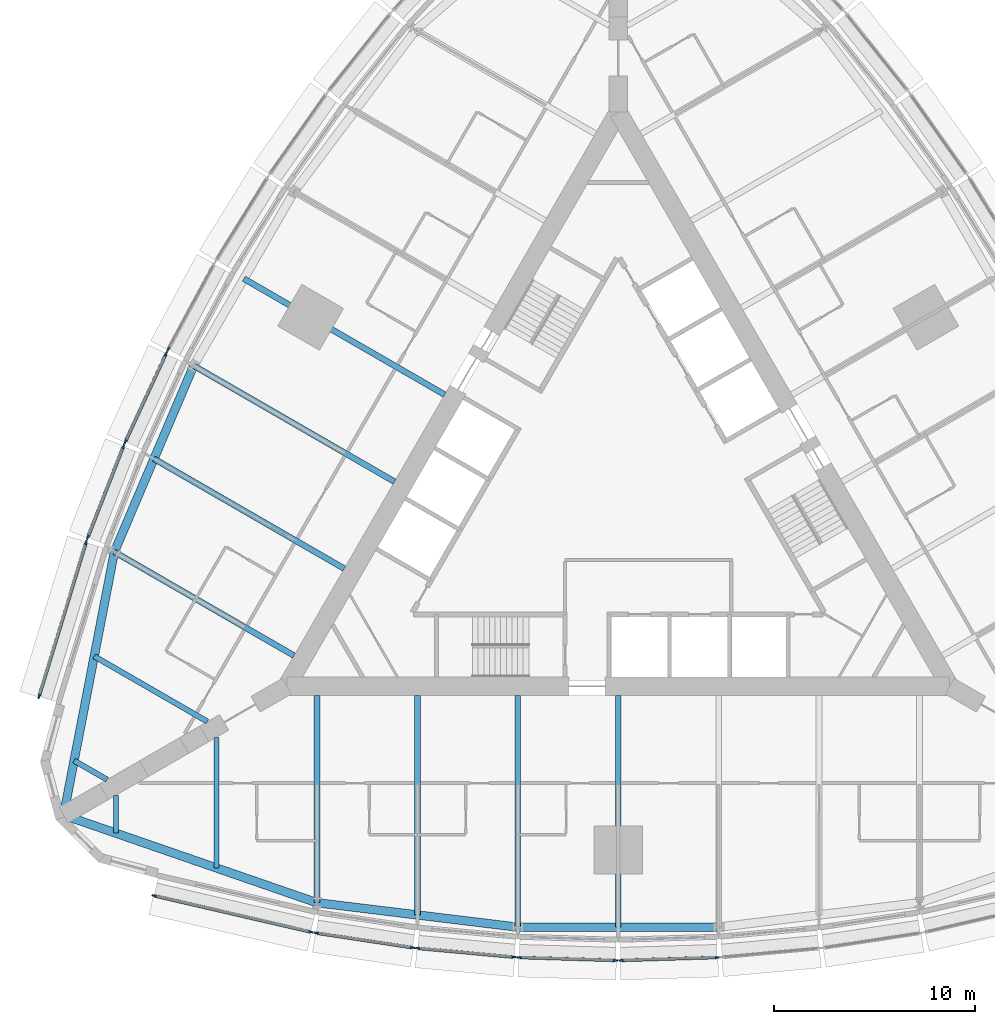
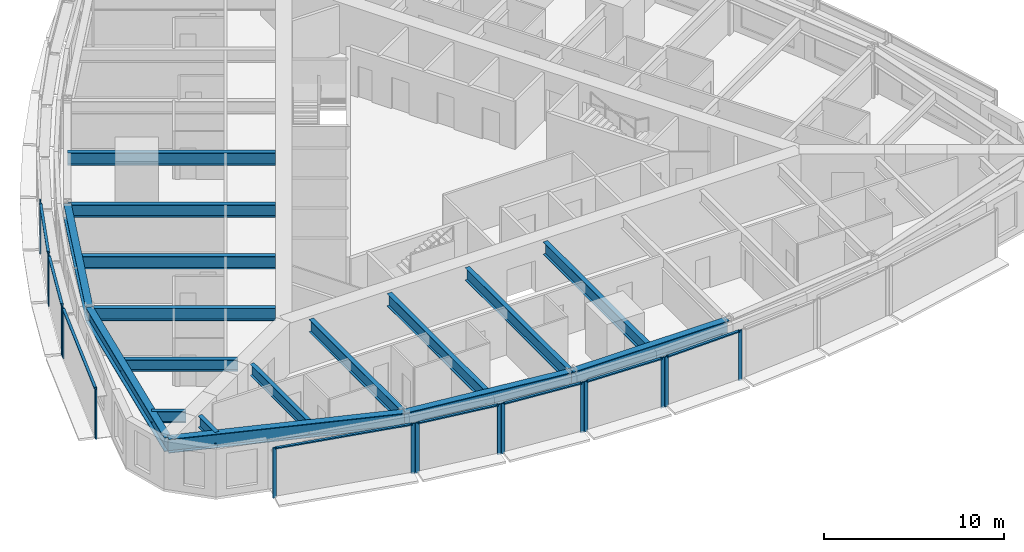
# One storey, part 2 of 14: 25 members, 17 beams, 9 elements without a shape of their own.
"""IFC4 building model written with IfcOpenShell, lengths in metres."""

from ifc_helpers import new_model, si_unit, direction, frame, origin, origin_2d, place, context, subcontext, project, spatial, rectangle, i_section, extrude, material, material_profile, profile_set, type_object, element, aggregate, save


model = new_model("IFC4")

# Units and contexts
model_context = context("Model", 3, precision=1e-05, world=origin(), true_north=direction((0.0, 1.0)))
body_context = subcontext(model_context, "Body", "Model", "MODEL_VIEW")
ifc_project = project(units=[si_unit("LENGTHUNIT", "METRE"), si_unit("AREAUNIT", "SQUARE_METRE"), si_unit("VOLUMEUNIT", "CUBIC_METRE"), si_unit("PLANEANGLEUNIT", "RADIAN"), si_unit("MASSUNIT", "GRAM", prefix="KILO")], contexts=[model_context])

# Site, building, storey
site_placement = place(None, origin())
site = spatial("IfcSite", under=ifc_project, at=site_placement, CompositionType="ELEMENT")
building_placement = place(site_placement, origin())
building = spatial("IfcBuilding", under=site, at=building_placement, Name="Trikona Tower", CompositionType="ELEMENT")
storey_placement = place(building_placement, frame((0.0, 0.0, 65.89990234375)))
storey = spatial("IfcBuildingStorey", under=building, at=storey_placement, Name="L16", CompositionType="ELEMENT", Elevation=65.89990234375)

# Curtain wall, members
ifc_material_1 = material(Name="Aluminium curtain wall system", Category="aluminium")
curtain_wall_type = type_object("IfcCurtainWallType", Name="Curtain wall DS1", PredefinedType="NOTDEFINED", material=ifc_material_1)
curtain_wall_1_placement = place(storey_placement, origin())
curtain_wall_1 = element("IfcCurtainWall", 1, at=curtain_wall_1_placement, inside=storey, type_object=curtain_wall_type, Name="Curtain wall DS1 L16", PredefinedType="NOTDEFINED")
ifc_material_2 = material(Name="Aluminium mullion, pale anodised", Category="aluminium")
ifc_material_profile_1 = material_profile(ifc_material_2, rectangle(XDim=0.080078125, YDim=0.219970703125, at=origin_2d()), Name="MUL-DS1")
ifc_profile_set_1 = profile_set([ifc_material_profile_1], Name="Aluminium mullion, pale anodised")
member_type_1 = type_object("IfcMemberType", Name="Mullion DS1 80x220", PredefinedType="MULLION", material=ifc_profile_set_1)
member_1_placement = place(storey_placement, frame((-23.10546875, -19.951904296875, 0.0), z_axis=(0.0, 0.0, 1.0), x_axis=(0.225343288756, 0.974279427173, 0.0)))
member_1 = element("IfcMember", 2, at=member_1_placement, type_object=member_type_1, Name="CW-DS1 mullion 1", PredefinedType="MULLION", context=body_context, shape_type="SweptSolid", body=[
    extrude(rectangle(XDim=0.080078125, YDim=0.219970703125, at=origin_2d()), origin(), (0.0, 0.0, 1.0), 3.400146484375),
])
member_2_placement = place(storey_placement, frame((-15.30029296875, -21.75732421875, 0.0), z_axis=(0.0, 0.0, 1.0), x_axis=(0.225343288756, 0.974279427173, 0.0)))
member_2 = element("IfcMember", 3, at=member_2_placement, type_object=member_type_1, Name="CW-DS1 mullion 2", PredefinedType="MULLION", context=body_context, shape_type="SweptSolid", body=[
    extrude(rectangle(XDim=0.080078125, YDim=0.219970703125, at=origin_2d()), origin(), (0.0, 0.0, 1.0), 3.400146484375),
])

curtain_wall_2_placement = place(storey_placement, origin())
curtain_wall_2 = element("IfcCurtainWall", 4, at=curtain_wall_2_placement, inside=storey, type_object=curtain_wall_type, Name="Curtain wall DS1 L16", PredefinedType="NOTDEFINED")
member_3_placement = place(storey_placement, frame((-15.03662109375, -21.807861328125, 0.0), z_axis=(0.0, 0.0, 1.0), x_axis=(0.150437693845, 0.988619492156, 0.0)))
member_3 = element("IfcMember", 5, at=member_3_placement, type_object=member_type_1, Name="CW-DS1 mullion 1", PredefinedType="MULLION", context=body_context, shape_type="SweptSolid", body=[
    extrude(rectangle(XDim=0.080078125, YDim=0.219970703125, at=origin_2d()), origin(), (0.0, 0.0, 1.0), 3.400146484375),
])
member_4_placement = place(storey_placement, frame((-10.234130859375, -22.53857421875, 0.0), z_axis=(0.0, 0.0, 1.0), x_axis=(0.150437693845, 0.988619492156, 0.0)))
member_4 = element("IfcMember", 6, at=member_4_placement, type_object=member_type_1, Name="CW-DS1 mullion 2", PredefinedType="MULLION", context=body_context, shape_type="SweptSolid", body=[
    extrude(rectangle(XDim=0.080078125, YDim=0.219970703125, at=origin_2d()), origin(), (0.0, 0.0, 1.0), 3.400146484375),
])

curtain_wall_3_placement = place(storey_placement, origin())
curtain_wall_3 = element("IfcCurtainWall", 7, at=curtain_wall_3_placement, inside=storey, type_object=curtain_wall_type, Name="Curtain wall DS1 L16", PredefinedType="NOTDEFINED")
member_5_placement = place(storey_placement, frame((-9.982177734375, -22.5693359375, 0.0), z_axis=(0.0, 0.0, 1.0), x_axis=(0.090923932737, 0.995857840485, 0.0)))
member_5 = element("IfcMember", 8, at=member_5_placement, type_object=member_type_1, Name="CW-DS1 mullion 1", PredefinedType="MULLION", context=body_context, shape_type="SweptSolid", body=[
    extrude(rectangle(XDim=0.080078125, YDim=0.219970703125, at=origin_2d()), origin(), (0.0, 0.0, 1.0), 3.400146484375),
])
member_6_placement = place(storey_placement, frame((-5.181396484375, -23.007568359375, 0.0), z_axis=(0.0, 0.0, 1.0), x_axis=(0.090923932737, 0.995857840485, 0.0)))
member_6 = element("IfcMember", 9, at=member_6_placement, type_object=member_type_1, Name="CW-DS1 mullion 2", PredefinedType="MULLION", context=body_context, shape_type="SweptSolid", body=[
    extrude(rectangle(XDim=0.080078125, YDim=0.219970703125, at=origin_2d()), origin(), (0.0, 0.0, 1.0), 3.400146484375),
])

curtain_wall_4_placement = place(storey_placement, origin())
curtain_wall_4 = element("IfcCurtainWall", 10, at=curtain_wall_4_placement, inside=storey, type_object=curtain_wall_type, Name="Curtain wall DS1 L16", PredefinedType="NOTDEFINED")
member_7_placement = place(storey_placement, frame((-4.927490234375, -23.02294921875, 0.0), z_axis=(0.0, 0.0, 1.0), x_axis=(0.030436711692, 0.999536695965, 0.0)))
member_7 = element("IfcMember", 11, at=member_7_placement, type_object=member_type_1, Name="CW-DS1 mullion 1", PredefinedType="MULLION", context=body_context, shape_type="SweptSolid", body=[
    extrude(rectangle(XDim=0.080078125, YDim=0.219970703125, at=origin_2d()), origin(), (0.0, 0.0, 1.0), 3.400146484375),
])
member_8_placement = place(storey_placement, frame((-0.12744140625, -23.169189453125, 0.0), z_axis=(0.0, 0.0, 1.0), x_axis=(0.030436711692, 0.999536695965, 0.0)))
member_8 = element("IfcMember", 12, at=member_8_placement, type_object=member_type_1, Name="CW-DS1 mullion 2", PredefinedType="MULLION", context=body_context, shape_type="SweptSolid", body=[
    extrude(rectangle(XDim=0.080078125, YDim=0.219970703125, at=origin_2d()), origin(), (0.0, 0.0, 1.0), 3.400146484375),
])

curtain_wall_5_placement = place(storey_placement, origin())
curtain_wall_5 = element("IfcCurtainWall", 13, at=curtain_wall_5_placement, inside=storey, type_object=curtain_wall_type, Name="Curtain wall DS1 L16", PredefinedType="NOTDEFINED")
member_9_placement = place(storey_placement, frame((0.12744140625, -23.169189453125, 0.0), z_axis=(0.0, 0.0, 1.0), x_axis=(-0.030436711692, 0.999536695965, 0.0)))
member_9 = element("IfcMember", 14, at=member_9_placement, type_object=member_type_1, Name="CW-DS1 mullion 1", PredefinedType="MULLION", context=body_context, shape_type="SweptSolid", body=[
    extrude(rectangle(XDim=0.080078125, YDim=0.219970703125, at=origin_2d()), origin(), (0.0, 0.0, 1.0), 3.400146484375),
])
member_10_placement = place(storey_placement, frame((4.927490234375, -23.02294921875, 0.0), z_axis=(0.0, 0.0, 1.0), x_axis=(-0.030436711692, 0.999536695965, 0.0)))
member_10 = element("IfcMember", 15, at=member_10_placement, type_object=member_type_1, Name="CW-DS1 mullion 2", PredefinedType="MULLION", context=body_context, shape_type="SweptSolid", body=[
    extrude(rectangle(XDim=0.080078125, YDim=0.219970703125, at=origin_2d()), origin(), (0.0, 0.0, 1.0), 3.400146484375),
])

# Curtain wall, member
curtain_wall_6_placement = place(storey_placement, origin())
curtain_wall_6 = element("IfcCurtainWall", 16, at=curtain_wall_6_placement, inside=storey, type_object=curtain_wall_type, Name="Curtain wall DS1 L16", PredefinedType="NOTDEFINED")
member_11_placement = place(storey_placement, frame((-22.402099609375, 7.244140625, 0.0), z_axis=(0.0, 0.0, 1.0), x_axis=(0.880843080975, -0.473408350896, 0.0)))
member_11 = element("IfcMember", 17, at=member_11_placement, type_object=member_type_1, Name="CW-DS1 mullion 2", PredefinedType="MULLION", context=body_context, shape_type="SweptSolid", body=[
    extrude(rectangle(XDim=0.080078125, YDim=0.219970703125, at=origin_2d()), origin(), (0.0, 0.0, 1.0), 3.400146484375),
])
aggregate(curtain_wall_6, [member_11])

# Curtain wall, members
curtain_wall_7_placement = place(storey_placement, origin())
curtain_wall_7 = element("IfcCurtainWall", 18, at=curtain_wall_7_placement, inside=storey, type_object=curtain_wall_type, Name="Curtain wall DS1 L16", PredefinedType="NOTDEFINED")
member_12_placement = place(storey_placement, frame((-22.515869140625, 7.0166015625, 0.0), z_axis=(0.0, 0.0, 1.0), x_axis=(0.907898459992, -0.419190155352, 0.0)))
member_12 = element("IfcMember", 19, at=member_12_placement, type_object=member_type_1, Name="CW-DS1 mullion 1", PredefinedType="MULLION", context=body_context, shape_type="SweptSolid", body=[
    extrude(rectangle(XDim=0.080078125, YDim=0.219970703125, at=origin_2d()), origin(), (0.0, 0.0, 1.0), 3.400146484375),
])
member_13_placement = place(storey_placement, frame((-24.53662109375, 2.6396484375, 0.0), z_axis=(0.0, 0.0, 1.0), x_axis=(0.907898459992, -0.419190155352, 0.0)))
member_13 = element("IfcMember", 20, at=member_13_placement, type_object=member_type_1, Name="CW-DS1 mullion 2", PredefinedType="MULLION", context=body_context, shape_type="SweptSolid", body=[
    extrude(rectangle(XDim=0.080078125, YDim=0.219970703125, at=origin_2d()), origin(), (0.0, 0.0, 1.0), 3.400146484375),
])

curtain_wall_8_placement = place(storey_placement, origin())
curtain_wall_8 = element("IfcCurtainWall", 21, at=curtain_wall_8_placement, inside=storey, type_object=curtain_wall_type, Name="Curtain wall DS1 L16", PredefinedType="NOTDEFINED")
member_14_placement = place(storey_placement, frame((-24.63623046875, 2.40625, 0.0), z_axis=(0.0, 0.0, 1.0), x_axis=(0.931395989443, -0.36400756977, 0.0)))
member_14 = element("IfcMember", 22, at=member_14_placement, type_object=member_type_1, Name="CW-DS1 mullion 1", PredefinedType="MULLION", context=body_context, shape_type="SweptSolid", body=[
    extrude(rectangle(XDim=0.080078125, YDim=0.219970703125, at=origin_2d()), origin(), (0.0, 0.0, 1.0), 3.400146484375),
])
member_15_placement = place(storey_placement, frame((-26.404296875, -2.1181640625, 0.0), z_axis=(0.0, 0.0, 1.0), x_axis=(0.931395989443, -0.36400756977, 0.0)))
member_15 = element("IfcMember", 23, at=member_15_placement, type_object=member_type_1, Name="CW-DS1 mullion 2", PredefinedType="MULLION", context=body_context, shape_type="SweptSolid", body=[
    extrude(rectangle(XDim=0.080078125, YDim=0.219970703125, at=origin_2d()), origin(), (0.0, 0.0, 1.0), 3.400146484375),
])

curtain_wall_9_placement = place(storey_placement, origin())
curtain_wall_9 = element("IfcCurtainWall", 24, at=curtain_wall_9_placement, inside=storey, type_object=curtain_wall_type, Name="Curtain wall DS1 L16", PredefinedType="NOTDEFINED")
member_16_placement = place(storey_placement, frame((-26.492431640625, -2.371826171875, 0.0), z_axis=(0.0, 0.0, 1.0), x_axis=(0.956423115383, -0.291984287868, 0.0)))
member_16 = element("IfcMember", 25, at=member_16_placement, type_object=member_type_1, Name="CW-DS1 mullion 1", PredefinedType="MULLION", context=body_context, shape_type="SweptSolid", body=[
    extrude(rectangle(XDim=0.080078125, YDim=0.219970703125, at=origin_2d()), origin(), (0.0, 0.0, 1.0), 3.400146484375),
])
member_17_placement = place(storey_placement, frame((-28.83154296875, -10.033935546875, 0.0), z_axis=(0.0, 0.0, 1.0), x_axis=(0.956423115383, -0.291984287868, 0.0)))
member_17 = element("IfcMember", 26, at=member_17_placement, type_object=member_type_1, Name="CW-DS1 mullion 2", PredefinedType="MULLION", context=body_context, shape_type="SweptSolid", body=[
    extrude(rectangle(XDim=0.080078125, YDim=0.219970703125, at=origin_2d()), origin(), (0.0, 0.0, 1.0), 3.400146484375),
])

# Beams
ifc_material_3 = material(Name="Steel ASTM A992 Grade 50", Category="steel")
ifc_material_profile_2 = material_profile(ifc_material_3, i_section(OverallWidth=0.2666015625, OverallDepth=0.76953125, WebThickness=0.015625, FlangeThickness=0.025390625, at=origin_2d()), Name="W30X132")
ifc_profile_set_2 = profile_set([ifc_material_profile_2], Name="Steel ASTM A992 Grade 50")
beam_type_1 = type_object("IfcBeamType", Name="Steel beam W30x132 (wedge)", PredefinedType="BEAM", material=ifc_profile_set_2)
beam_1_placement = place(storey_placement, frame((-25.0, -14.953369140625, 2.850341796875), z_axis=(0.0, -1.0, 0.0), x_axis=(1.0, 0.0, 0.0)))
element("IfcBeam", 27, at=beam_1_placement, inside=storey, type_object=beam_type_1, Name="Floor beam L17 F1 u-25", PredefinedType="BEAM", context=body_context, shape_type="SweptSolid", body=[
    extrude(i_section(OverallWidth=0.2666015625, OverallDepth=0.76953125, WebThickness=0.015625, FlangeThickness=0.025390625, at=origin_2d()), origin(), (0.0, 0.0, 1.0), 1.890380859375),
])
for number, where, z_axis, x_axis, name in (
    (28, (-20.0, -12.066650390625, 2.850341796875), (0.0, -1.0, 0.0), (1.0, 0.0, 0.0), "Floor beam L17 F1 u-20"),
    (29, (-20.449951171875, -11.287109375, 2.850341796875), (-0.866022504693, 0.50000502134, 0.0), (-0.50000502134, -0.866022504693, 0.0), "Floor beam L17 F3 u20"),
):
    element("IfcBeam", number, at=place(storey_placement, frame(where, z_axis=z_axis, x_axis=x_axis)), inside=storey, type_object=beam_type_1, Name=name, PredefinedType="BEAM", context=body_context, shape_type="SweptSolid", body=[
        extrude(i_section(OverallWidth=0.2666015625, OverallDepth=0.76953125, WebThickness=0.015625, FlangeThickness=0.025390625, at=origin_2d()), origin(), (0.0, 0.0, 1.0), 6.5068359375),
    ])
beam_2_placement = place(storey_placement, frame((-25.449951171875, -14.173828125, 2.850341796875), z_axis=(-0.866065156741, 0.499931139538, 0.0), x_axis=(-0.499931139538, -0.866065156741, 0.0)))
element("IfcBeam", 30, at=beam_2_placement, inside=storey, type_object=beam_type_1, Name="Floor beam L17 F3 u25", PredefinedType="BEAM", context=body_context, shape_type="SweptSolid", body=[
    extrude(i_section(OverallWidth=0.2666015625, OverallDepth=0.76953125, WebThickness=0.015625, FlangeThickness=0.025390625, at=origin_2d()), origin(), (0.0, 0.0, 1.0), 1.890380859375),
])
ifc_material_4 = material(Name="Steel ASTM A992 Grade 50", Category="steel")
ifc_material_profile_3 = material_profile(ifc_material_4, i_section(OverallWidth=0.2919921875, OverallDepth=0.845703125, WebThickness=0.015380859375, FlangeThickness=0.0244140625, at=origin_2d()), Name="W33X141")
ifc_profile_set_3 = profile_set([ifc_material_profile_3], Name="Steel ASTM A992 Grade 50")
beam_type_2 = type_object("IfcBeamType", Name="Steel beam W33x141 (radial typ)", PredefinedType="BEAM", material=ifc_profile_set_3)
beam_3_placement = place(storey_placement, frame((-15.0, -9.976318359375, 2.812255859375), z_axis=(0.0, -1.0, 0.0), x_axis=(1.0, 0.0, 0.0)))
element("IfcBeam", 31, at=beam_3_placement, inside=storey, type_object=beam_type_2, Name="Floor beam L17 F1 u-15", PredefinedType="BEAM", context=body_context, shape_type="SweptSolid", body=[
    extrude(i_section(OverallWidth=0.2919921875, OverallDepth=0.845703125, WebThickness=0.015380859375, FlangeThickness=0.0244140625, at=origin_2d()), origin(), (0.0, 0.0, 1.0), 10.32666015625),
])
beam_4_placement = place(storey_placement, frame((-10.0, -9.976318359375, 2.812255859375), z_axis=(0.0, -1.0, 0.0), x_axis=(1.0, 0.0, 0.0)))
element("IfcBeam", 32, at=beam_4_placement, inside=storey, type_object=beam_type_2, Name="Floor beam L17 F1 u-10", PredefinedType="BEAM", context=body_context, shape_type="SweptSolid", body=[
    extrude(i_section(OverallWidth=0.2919921875, OverallDepth=0.845703125, WebThickness=0.015380859375, FlangeThickness=0.0244140625, at=origin_2d()), origin(), (0.0, 0.0, 1.0), 10.935302734375),
])
for number, where, z_axis, x_axis, name in (
    (33, (-5.0, -9.976318359375, 2.812255859375), (0.0, -1.0, 0.0), (1.0, 0.0, 0.0), "Floor beam L17 F1 u-5"),
    (34, (0.0, -9.976318359375, 2.812255859375), (0.0, -1.0, 0.0), (1.0, 0.0, 0.0), "Floor beam L17 F1 u0"),
    (35, (-8.6396484375, 4.988037109375, 2.812255859375), (-0.866020765707, 0.500008033299, 0.0), (-0.500008033299, -0.866020765707, 0.0), "Floor beam L17 F3 u0"),
    (36, (-11.1396484375, 0.657958984375, 2.812255859375), (-0.866020765707, 0.500008033299, 0.0), (-0.500008033299, -0.866020765707, 0.0), "Floor beam L17 F3 u5"),
):
    element("IfcBeam", number, at=place(storey_placement, frame(where, z_axis=z_axis, x_axis=x_axis)), inside=storey, type_object=beam_type_2, Name=name, PredefinedType="BEAM", context=body_context, shape_type="SweptSolid", body=[
        extrude(i_section(OverallWidth=0.2919921875, OverallDepth=0.845703125, WebThickness=0.015380859375, FlangeThickness=0.0244140625, at=origin_2d()), origin(), (0.0, 0.0, 1.0), 11.544189453125),
    ])
beam_5_placement = place(storey_placement, frame((-13.6396484375, -3.672119140625, 2.812255859375), z_axis=(-0.866025348605, 0.500000095573, 0.0), x_axis=(-0.500000095573, -0.866025348605, 0.0)))
element("IfcBeam", 37, at=beam_5_placement, inside=storey, type_object=beam_type_2, Name="Floor beam L17 F3 u10", PredefinedType="BEAM", context=body_context, shape_type="SweptSolid", body=[
    extrude(i_section(OverallWidth=0.2919921875, OverallDepth=0.845703125, WebThickness=0.015380859375, FlangeThickness=0.0244140625, at=origin_2d()), origin(), (0.0, 0.0, 1.0), 10.935546875),
])
beam_6_placement = place(storey_placement, frame((-16.1396484375, -8.002197265625, 2.812255859375), z_axis=(-0.866030471684, 0.499991222037, 0.0), x_axis=(-0.499991222037, -0.866030471684, 0.0)))
element("IfcBeam", 38, at=beam_6_placement, inside=storey, type_object=beam_type_2, Name="Floor beam L17 F3 u15", PredefinedType="BEAM", context=body_context, shape_type="SweptSolid", body=[
    extrude(i_section(OverallWidth=0.2919921875, OverallDepth=0.845703125, WebThickness=0.015380859375, FlangeThickness=0.0244140625, at=origin_2d()), origin(), (0.0, 0.0, 1.0), 10.326904296875),
])
ifc_material_5 = material(Name="Steel ASTM A992 Grade 50", Category="steel")
ifc_material_profile_4 = material_profile(ifc_material_5, i_section(OverallWidth=0.424072265625, OverallDepth=0.947509765625, WebThickness=0.02392578125, FlangeThickness=0.042724609375, at=origin_2d()), Name="W36X302")
ifc_profile_set_4 = profile_set([ifc_material_profile_4], Name="Steel ASTM A992 Grade 50")
beam_type_3 = type_object("IfcBeamType", Name="Steel beam W36x302 (spandrel)", PredefinedType="SPANDREL", material=ifc_profile_set_4)
beam_7_placement = place(storey_placement, frame((-27.6103515625, -15.94091796875, 2.761474609375), z_axis=(0.945056965739, -0.326905692071, 0.0), x_axis=(0.326905692071, 0.945056965739, 0.0)))
element("IfcBeam", 39, at=beam_7_placement, inside=storey, type_object=beam_type_3, Name="Spandrel beam L17 F1-1", PredefinedType="SPANDREL", context=body_context, shape_type="SweptSolid", body=[
    extrude(i_section(OverallWidth=0.424072265625, OverallDepth=0.947509765625, WebThickness=0.02392578125, FlangeThickness=0.042724609375, at=origin_2d()), origin(), (0.0, 0.0, 1.0), 13.343505859375),
])
beam_8_placement = place(storey_placement, frame((-15.0, -20.302978515625, 2.761474609375), z_axis=(0.99266951126, -0.120860421207, 0.0), x_axis=(0.120860421207, 0.99266951126, 0.0)))
element("IfcBeam", 40, at=beam_8_placement, inside=storey, type_object=beam_type_3, Name="Spandrel beam L17 F1-2", PredefinedType="SPANDREL", context=body_context, shape_type="SweptSolid", body=[
    extrude(i_section(OverallWidth=0.424072265625, OverallDepth=0.947509765625, WebThickness=0.02392578125, FlangeThickness=0.042724609375, at=origin_2d()), origin(), (0.0, 0.0, 1.0), 10.07373046875),
])
beam_9_placement = place(storey_placement, frame((-5.0, -21.5205078125, 2.761474609375), z_axis=(1.0, 0.0, 0.0), x_axis=(0.0, 1.0, 0.0)))
element("IfcBeam", 41, at=beam_9_placement, inside=storey, type_object=beam_type_3, Name="Spandrel beam L17 F1-3", PredefinedType="SPANDREL", context=body_context, shape_type="SweptSolid", body=[
    extrude(i_section(OverallWidth=0.424072265625, OverallDepth=0.947509765625, WebThickness=0.02392578125, FlangeThickness=0.042724609375, at=origin_2d()), origin(), (0.0, 0.0, 1.0), 10.0),
])
beam_10_placement = place(storey_placement, frame((-21.13720703125, 6.43017578125, 2.761474609375), z_axis=(-0.391683514847, -0.920100007715, 0.0), x_axis=(0.920100007715, -0.391683514847, 0.0)))
element("IfcBeam", 42, at=beam_10_placement, inside=storey, type_object=beam_type_3, Name="Spandrel beam L17 F3-4", PredefinedType="SPANDREL", context=body_context, shape_type="SweptSolid", body=[
    extrude(i_section(OverallWidth=0.424072265625, OverallDepth=0.947509765625, WebThickness=0.02392578125, FlangeThickness=0.042724609375, at=origin_2d()), origin(), (0.0, 0.0, 1.0), 10.073974609375),
])
beam_11_placement = place(storey_placement, frame((-25.0830078125, -2.8388671875, 2.761474609375), z_axis=(-0.189405184036, -0.981899015307, 0.0), x_axis=(0.981899015307, -0.189405184036, 0.0)))
element("IfcBeam", 43, at=beam_11_placement, inside=storey, type_object=beam_type_3, Name="Spandrel beam L17 F3-5", PredefinedType="SPANDREL", context=body_context, shape_type="SweptSolid", body=[
    extrude(i_section(OverallWidth=0.424072265625, OverallDepth=0.947509765625, WebThickness=0.02392578125, FlangeThickness=0.042724609375, at=origin_2d()), origin(), (0.0, 0.0, 1.0), 13.343505859375),
])

# Member
ifc_material_6 = material(Name="Aluminium transom, pale anodised", Category="aluminium")
ifc_material_profile_5 = material_profile(ifc_material_6, rectangle(XDim=0.159912109375, YDim=0.080078125, at=origin_2d()), Name="TRN-DS1")
ifc_profile_set_5 = profile_set([ifc_material_profile_5], Name="Aluminium transom, pale anodised")
member_type_2 = type_object("IfcMemberType", Name="Transom DS1 80x160", PredefinedType="USERDEFINED", material=ifc_profile_set_5)
member_18_placement = place(storey_placement, frame((-23.06640625, -19.9609375, 3.360107421875), z_axis=(0.974275371842, -0.225360821398, 0.0), x_axis=(0.225360821398, 0.974275371842, 0.0)))
member_18 = element("IfcMember", 44, at=member_18_placement, type_object=member_type_2, Name="CW-DS1 transom 1.1", ObjectType="TRANSOM", PredefinedType="USERDEFINED", context=body_context, shape_type="SweptSolid", body=[
    extrude(rectangle(XDim=0.159912109375, YDim=0.080078125, at=origin_2d()), origin(), (0.0, 0.0, 1.0), 7.93115234375),
])

aggregate(curtain_wall_1, [member_1, member_2, member_18])

member_19_placement = place(storey_placement, frame((-14.9970703125, -21.813720703125, 3.360107421875), z_axis=(0.988619663412, -0.150436568413, 0.0), x_axis=(0.150436568413, 0.988619663412, 0.0)))
member_19 = element("IfcMember", 45, at=member_19_placement, type_object=member_type_2, Name="CW-DS1 transom 1.1", ObjectType="TRANSOM", PredefinedType="USERDEFINED", context=body_context, shape_type="SweptSolid", body=[
    extrude(rectangle(XDim=0.159912109375, YDim=0.080078125, at=origin_2d()), origin(), (0.0, 0.0, 1.0), 4.77783203125),
])

aggregate(curtain_wall_2, [member_3, member_4, member_19])

member_20_placement = place(storey_placement, frame((-9.9423828125, -22.57275390625, 3.360107421875), z_axis=(0.995855977008, -0.090944340438, 0.0), x_axis=(0.090944340438, 0.995855977008, 0.0)))
member_20 = element("IfcMember", 46, at=member_20_placement, type_object=member_type_2, Name="CW-DS1 transom 1.1", ObjectType="TRANSOM", PredefinedType="USERDEFINED", context=body_context, shape_type="SweptSolid", body=[
    extrude(rectangle(XDim=0.159912109375, YDim=0.080078125, at=origin_2d()), origin(), (0.0, 0.0, 1.0), 4.74072265625),
])

aggregate(curtain_wall_3, [member_5, member_6, member_20])

member_21_placement = place(storey_placement, frame((-4.887451171875, -23.024169921875, 3.360107421875), z_axis=(0.999536232946, -0.030451913371, 0.0), x_axis=(0.030451913371, 0.999536232946, 0.0)))
member_21 = element("IfcMember", 47, at=member_21_placement, type_object=member_type_2, Name="CW-DS1 transom 1.1", ObjectType="TRANSOM", PredefinedType="USERDEFINED", context=body_context, shape_type="SweptSolid", body=[
    extrude(rectangle(XDim=0.159912109375, YDim=0.080078125, at=origin_2d()), origin(), (0.0, 0.0, 1.0), 4.72216796875),
])

aggregate(curtain_wall_4, [member_7, member_8, member_21])

member_22_placement = place(storey_placement, frame((0.16748046875, -23.16796875, 3.360107421875), z_axis=(0.999536232946, 0.030451913371, 0.0), x_axis=(-0.030451913371, 0.999536232946, 0.0)))
member_22 = element("IfcMember", 48, at=member_22_placement, type_object=member_type_2, Name="CW-DS1 transom 1.1", ObjectType="TRANSOM", PredefinedType="USERDEFINED", context=body_context, shape_type="SweptSolid", body=[
    extrude(rectangle(XDim=0.159912109375, YDim=0.080078125, at=origin_2d()), origin(), (0.0, 0.0, 1.0), 4.72216796875),
])

aggregate(curtain_wall_5, [member_9, member_10, member_22])

member_23_placement = place(storey_placement, frame((-22.53271484375, 6.980224609375, 3.360107421875), z_axis=(-0.419188800665, -0.90789908547, 0.0), x_axis=(0.90789908547, -0.419188800665, 0.0)))
member_23 = element("IfcMember", 49, at=member_23_placement, type_object=member_type_2, Name="CW-DS1 transom 1.1", ObjectType="TRANSOM", PredefinedType="USERDEFINED", context=body_context, shape_type="SweptSolid", body=[
    extrude(rectangle(XDim=0.159912109375, YDim=0.080078125, at=origin_2d()), origin(), (0.0, 0.0, 1.0), 4.74072265625),
])

aggregate(curtain_wall_7, [member_12, member_13, member_23])

member_24_placement = place(storey_placement, frame((-24.650634765625, 2.368896484375, 3.360107421875), z_axis=(-0.364048647668, -0.931379934362, 0.0), x_axis=(0.931379934362, -0.364048647668, 0.0)))
member_24 = element("IfcMember", 50, at=member_24_placement, type_object=member_type_2, Name="CW-DS1 transom 1.1", ObjectType="TRANSOM", PredefinedType="USERDEFINED", context=body_context, shape_type="SweptSolid", body=[
    extrude(rectangle(XDim=0.159912109375, YDim=0.080078125, at=origin_2d()), origin(), (0.0, 0.0, 1.0), 4.777587890625),
])

aggregate(curtain_wall_8, [member_14, member_15, member_24])

member_25_placement = place(storey_placement, frame((-26.504150390625, -2.409912109375, 3.360107421875), z_axis=(-0.291967490203, -0.956428243343, 0.0), x_axis=(0.956428243343, -0.291967490203, 0.0)))
member_25 = element("IfcMember", 51, at=member_25_placement, type_object=member_type_2, Name="CW-DS1 transom 1.1", ObjectType="TRANSOM", PredefinedType="USERDEFINED", context=body_context, shape_type="SweptSolid", body=[
    extrude(rectangle(XDim=0.159912109375, YDim=0.080078125, at=origin_2d()), origin(), (0.0, 0.0, 1.0), 7.93115234375),
])

aggregate(curtain_wall_9, [member_16, member_17, member_25])

save(model, "model.ifc")
